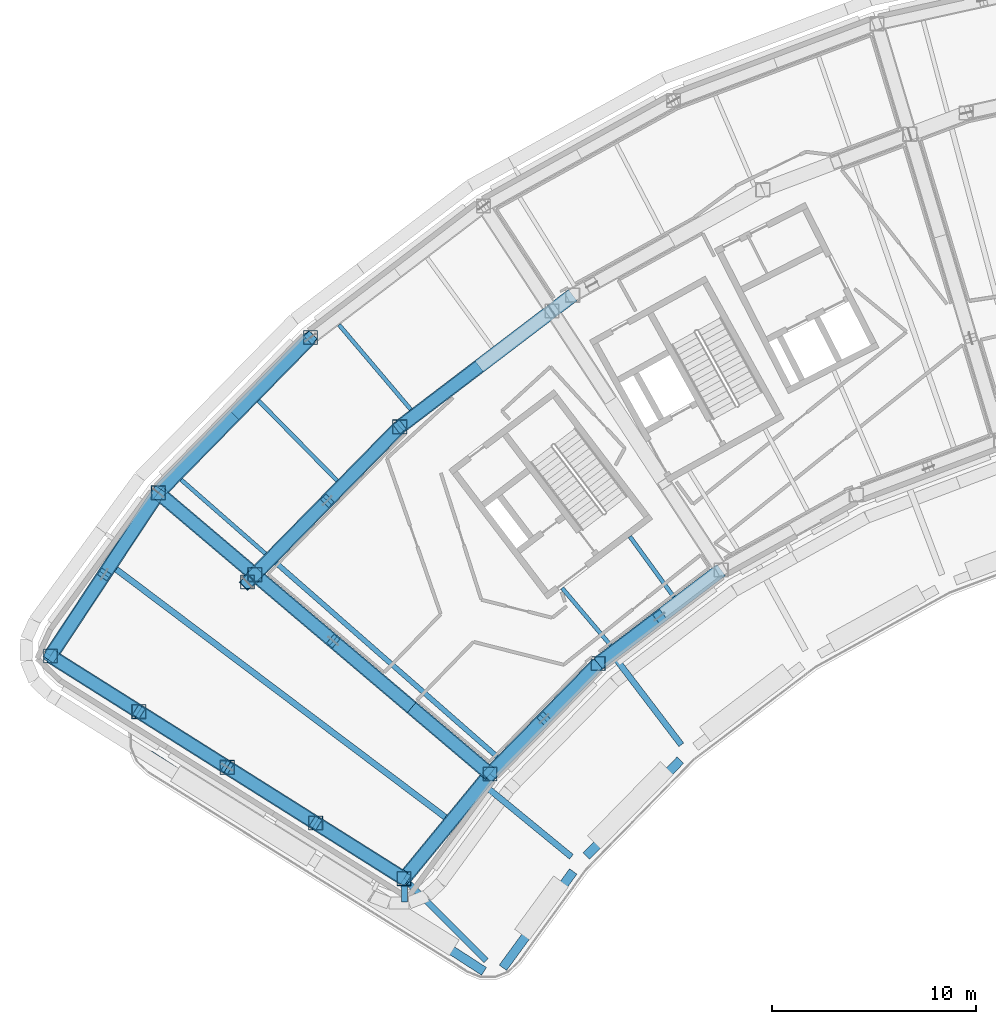
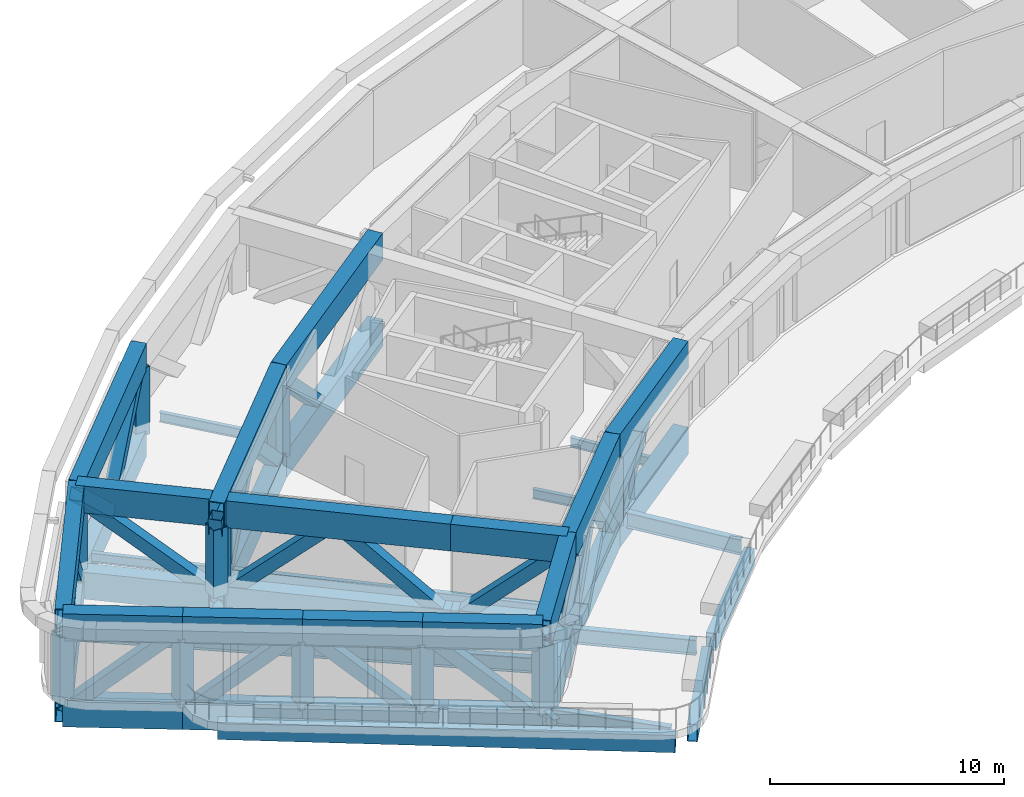
# One storey, part 1 of 26: 42 beams, 32 members.
"""IFC4 building model written with IfcOpenShell, lengths in metres."""

from ifc_helpers import new_model, si_unit, direction, frame, origin, origin_2d, place, context, subcontext, project, spatial, hollow_rectangle, i_section, extrude, material, material_profile, profile_set, type_object, element, save


model = new_model("IFC4")

# Units and contexts
model_context = context("Model", 3, precision=1e-05, world=origin(), true_north=direction((0.0, 1.0)))
body_context = subcontext(model_context, "Body", "Model", "MODEL_VIEW")
ifc_project = project(units=[si_unit("LENGTHUNIT", "METRE"), si_unit("AREAUNIT", "SQUARE_METRE"), si_unit("VOLUMEUNIT", "CUBIC_METRE"), si_unit("PLANEANGLEUNIT", "RADIAN"), si_unit("MASSUNIT", "GRAM", prefix="KILO")], contexts=[model_context])

# Site, building, storey
site_placement = place(None, origin())
site = spatial("IfcSite", under=ifc_project, at=site_placement, CompositionType="ELEMENT")
building_placement = place(site_placement, origin())
building = spatial("IfcBuilding", under=site, at=building_placement, Name="Tuul Gate Civic Tower", CompositionType="ELEMENT")
storey_placement = place(building_placement, frame((0.0, 0.0, 167.60009765625)))
storey = spatial("IfcBuildingStorey", under=building, at=storey_placement, Name="Plant and refuge floor 5", CompositionType="ELEMENT", Elevation=167.60009765625)

# Beams
ifc_material_1 = material(Name="Steel S355", Category="steel")
ifc_material_profile_1 = material_profile(ifc_material_1, i_section(OverallWidth=0.199951171875, OverallDepth=0.5, WebThickness=0.010009765625, FlangeThickness=0.01611328125, at=origin_2d()), Name="PG500x200x10x16")
ifc_profile_set_1 = profile_set([ifc_material_profile_1], Name="Steel S355")
beam_type_1 = type_object("IfcBeamType", Name="STR-FLOOR BEAM-PG500x200x10x16", PredefinedType="BEAM", material=ifc_profile_set_1)
beam_1_placement = place(storey_placement, frame((-30.0595703125, -17.616455078125, -0.650146484375), z_axis=(-0.588377005817, 0.808586729439, 0.0), x_axis=(-0.808586729439, -0.588377005817, 0.0)))
element("IfcBeam", 1, at=beam_1_placement, inside=storey, type_object=beam_type_1, Name="Floor beam", PredefinedType="BEAM", context=body_context, shape_type="SweptSolid", body=[
    extrude(i_section(OverallWidth=0.199951171875, OverallDepth=0.5, WebThickness=0.010009765625, FlangeThickness=0.01611328125, at=origin_2d()), origin(), (0.0, 0.0, 1.0), 3.67626953125),
])
beam_2_placement = place(storey_placement, frame((-33.168212890625, -19.9833984375, -0.650146484375), z_axis=(-0.646608064205, 0.762822398272, 0.0), x_axis=(-0.762822398272, -0.646608064205, 0.0)))
element("IfcBeam", 2, at=beam_2_placement, inside=storey, type_object=beam_type_1, Name="Floor beam", PredefinedType="BEAM", context=body_context, shape_type="SweptSolid", body=[
    extrude(i_section(OverallWidth=0.199951171875, OverallDepth=0.5, WebThickness=0.010009765625, FlangeThickness=0.01611328125, at=origin_2d()), origin(), (0.0, 0.0, 1.0), 3.6806640625),
])
beam_3_placement = place(storey_placement, frame((-42.981201171875, -8.406005859375, -0.650146484375), z_axis=(-0.64660651418, 0.762823712151, 0.0), x_axis=(-0.762823712151, -0.64660651418, 0.0)))
element("IfcBeam", 3, at=beam_3_placement, inside=storey, type_object=beam_type_1, Name="Floor beam", PredefinedType="BEAM", context=body_context, shape_type="SweptSolid", body=[
    extrude(i_section(OverallWidth=0.199951171875, OverallDepth=0.5, WebThickness=0.010009765625, FlangeThickness=0.01611328125, at=origin_2d()), origin(), (0.0, 0.0, 1.0), 5.451416015625),
])
beam_4_placement = place(storey_placement, frame((-46.600341796875, -11.8974609375, -0.650146484375), z_axis=(-0.701246002822, 0.712919380804, 0.0), x_axis=(-0.712919380804, -0.701246002822, 0.0)))
element("IfcBeam", 4, at=beam_4_placement, inside=storey, type_object=beam_type_1, Name="Floor beam", PredefinedType="BEAM", context=body_context, shape_type="SweptSolid", body=[
    extrude(i_section(OverallWidth=0.199951171875, OverallDepth=0.5, WebThickness=0.010009765625, FlangeThickness=0.01611328125, at=origin_2d()), origin(), (0.0, 0.0, 1.0), 5.50048828125),
])
beam_5_placement = place(storey_placement, frame((-50.11865234375, -15.48681640625, -0.650146484375), z_axis=(-0.752030045563, 0.659128826991, 0.0), x_axis=(-0.659128826991, -0.752030045563, 0.0)))
element("IfcBeam", 5, at=beam_5_placement, inside=storey, type_object=beam_type_1, Name="Floor beam", PredefinedType="BEAM", context=body_context, shape_type="SweptSolid", body=[
    extrude(i_section(OverallWidth=0.199951171875, OverallDepth=0.5, WebThickness=0.010009765625, FlangeThickness=0.01611328125, at=origin_2d()), origin(), (0.0, 0.0, 1.0), 5.50830078125),
])
ifc_material_2 = material(Name="Steel S355", Category="steel")
ifc_material_profile_2 = material_profile(ifc_material_2, i_section(OverallWidth=0.25, OverallDepth=0.64990234375, WebThickness=0.011962890625, FlangeThickness=0.02001953125, at=origin_2d()), Name="PG650x250x12x20")
ifc_profile_set_2 = profile_set([ifc_material_profile_2], Name="Steel S355")
beam_type_2 = type_object("IfcBeamType", Name="STR-FLOOR BEAM-PG650x250x12x20", PredefinedType="BEAM", material=ifc_profile_set_2)
beam_6_placement = place(storey_placement, frame((-38.744873046875, -25.455810546875, -0.72509765625), z_axis=(-0.752019629424, 0.659140711049, 0.0), x_axis=(-0.659140711049, -0.752019629424, 0.0)))
element("IfcBeam", 6, at=beam_6_placement, inside=storey, type_object=beam_type_2, Name="Floor beam", PredefinedType="BEAM", context=body_context, shape_type="SweptSolid", body=[
    extrude(i_section(OverallWidth=0.25, OverallDepth=0.64990234375, WebThickness=0.011962890625, FlangeThickness=0.02001953125, at=origin_2d()), origin(), (0.0, 0.0, 1.0), 14.423095703125),
])
ifc_material_3 = material(Name="Steel S355", Category="steel")
ifc_material_profile_3 = material_profile(ifc_material_3, i_section(OverallWidth=0.300048828125, OverallDepth=0.800048828125, WebThickness=0.013916015625, FlangeThickness=0.02490234375, at=origin_2d()), Name="PG800x300x14x25")
ifc_profile_set_3 = profile_set([ifc_material_profile_3], Name="Steel S355")
beam_type_3 = type_object("IfcBeamType", Name="STR-FLOOR BEAM-PG800x300x14x25", PredefinedType="BEAM", material=ifc_profile_set_3)
beam_7_placement = place(storey_placement, frame((-41.28662109375, -28.4326171875, -0.800048828125), z_axis=(-0.79870368658, 0.601724539174, 0.0), x_axis=(-0.601724539174, -0.79870368658, 0.0)))
element("IfcBeam", 7, at=beam_7_placement, inside=storey, type_object=beam_type_3, Name="Floor beam", PredefinedType="BEAM", context=body_context, shape_type="SweptSolid", body=[
    extrude(i_section(OverallWidth=0.300048828125, OverallDepth=0.800048828125, WebThickness=0.013916015625, FlangeThickness=0.02490234375, at=origin_2d()), origin(), (0.0, 0.0, 1.0), 20.233642578125),
])
beam_8_placement = place(storey_placement, frame((-43.28173828125, -32.60009765625, -0.800048828125), z_axis=(-0.025581045108, 0.99967275152, 0.0), x_axis=(-0.99967275152, -0.025581045108, 0.0)))
element("IfcBeam", 8, at=beam_8_placement, inside=storey, type_object=beam_type_3, Name="Terrace beam", PredefinedType="BEAM", context=body_context, shape_type="SweptSolid", body=[
    extrude(i_section(OverallWidth=0.300048828125, OverallDepth=0.800048828125, WebThickness=0.013916015625, FlangeThickness=0.02490234375, at=origin_2d()), origin(), (0.0, 0.0, 1.0), 0.849365234375),
])
beam_9_placement = place(storey_placement, frame((-39.280517578125, -35.4814453125, -0.800048828125), z_axis=(-0.707106781187, 0.707106781187, 0.0), x_axis=(-0.707106781187, -0.707106781187, 0.0)))
element("IfcBeam", 9, at=beam_9_placement, inside=storey, type_object=beam_type_3, Name="Terrace beam", PredefinedType="BEAM", context=body_context, shape_type="SweptSolid", body=[
    extrude(i_section(OverallWidth=0.300048828125, OverallDepth=0.800048828125, WebThickness=0.013916015625, FlangeThickness=0.02490234375, at=origin_2d()), origin(), (0.0, 0.0, 1.0), 5.39990234375),
])
beam_10_placement = place(storey_placement, frame((-35.093505859375, -30.375732421875, -0.800048828125), z_axis=(-0.773010486369, 0.634393243945, 0.0), x_axis=(-0.634393243945, -0.773010486369, 0.0)))
element("IfcBeam", 10, at=beam_10_placement, inside=storey, type_object=beam_type_3, Name="Terrace beam", PredefinedType="BEAM", context=body_context, shape_type="SweptSolid", body=[
    extrude(i_section(OverallWidth=0.300048828125, OverallDepth=0.800048828125, WebThickness=0.013916015625, FlangeThickness=0.02490234375, at=origin_2d()), origin(), (0.0, 0.0, 1.0), 5.3701171875),
])
beam_11_placement = place(storey_placement, frame((-29.69580078125, -24.873291015625, -0.800048828125), z_axis=(-0.605795419992, 0.795620455442, 0.0), x_axis=(-0.795620455442, -0.605795419992, 0.0)))
element("IfcBeam", 11, at=beam_11_placement, inside=storey, type_object=beam_type_3, Name="Terrace beam", PredefinedType="BEAM", context=body_context, shape_type="SweptSolid", body=[
    extrude(i_section(OverallWidth=0.300048828125, OverallDepth=0.800048828125, WebThickness=0.013916015625, FlangeThickness=0.02490234375, at=origin_2d()), origin(), (0.0, 0.0, 1.0), 5.343994140625),
])
ifc_material_4 = material(Name="Steel S355", Category="steel")
ifc_material_profile_4 = material_profile(ifc_material_4, hollow_rectangle(XDim=0.449951171875, YDim=0.89990234375, WallThickness=0.02490234375, at=origin_2d()), Name="BOX900x450x25")
ifc_profile_set_4 = profile_set([ifc_material_profile_4], Name="Steel S355")
beam_type_4 = type_object("IfcBeamType", Name="STR-SPANDREL BEAM-BOX900x450x25", PredefinedType="BEAM", material=ifc_profile_set_4)
beam_12_placement = place(storey_placement, frame((-55.83251953125, -25.361572265625, -0.85009765625), z_axis=(0.839591221313, -0.543218723071, 0.0), x_axis=(0.543218723071, 0.839591221313, 0.0)))
element("IfcBeam", 12, at=beam_12_placement, inside=storey, type_object=beam_type_4, Name="Terrace edge beam", PredefinedType="BEAM", context=body_context, shape_type="SweptSolid", body=[
    extrude(hollow_rectangle(XDim=0.449951171875, YDim=0.89990234375, WallThickness=0.02490234375, at=origin_2d()), origin(), (0.0, 0.0, 1.0), 19.58984375),
])
beam_13_placement = place(storey_placement, frame((-38.45654296875, -35.826171875, -0.85009765625), z_axis=(0.589840992423, 0.807519413796, 0.0), x_axis=(-0.807519413796, 0.589840992423, 0.0)))
element("IfcBeam", 13, at=beam_13_placement, inside=storey, type_object=beam_type_4, Name="Terrace edge beam", PredefinedType="BEAM", context=body_context, shape_type="SweptSolid", body=[
    extrude(hollow_rectangle(XDim=0.449951171875, YDim=0.89990234375, WallThickness=0.02490234375, at=origin_2d()), origin(), (0.0, 0.0, 1.0), 5.85693359375),
])
beam_14_placement = place(storey_placement, frame((-34.35693359375, -30.3359375, -0.85009765625), z_axis=(0.699959943252, 0.714182104118, 0.0), x_axis=(-0.714182104118, 0.699959943252, 0.0)))
element("IfcBeam", 14, at=beam_14_placement, inside=storey, type_object=beam_type_4, Name="Terrace edge beam", PredefinedType="BEAM", context=body_context, shape_type="SweptSolid", body=[
    extrude(hollow_rectangle(XDim=0.449951171875, YDim=0.89990234375, WallThickness=0.02490234375, at=origin_2d()), origin(), (0.0, 0.0, 1.0), 6.591796875),
])
ifc_material_5 = material(Name="Steel S460", Category="steel")
ifc_material_profile_5 = material_profile(ifc_material_5, hollow_rectangle(XDim=0.699951171875, YDim=1.39990234375, WallThickness=0.0400390625, at=origin_2d()), Name="BOX1400x700x40")
ifc_profile_set_5 = profile_set([ifc_material_profile_5], Name="Steel S460")
beam_type_5 = type_object("IfcBeamType", Name="STR-TRANSFER TRUSS CHORD-BOX1400x700x40", PredefinedType="BEAM", material=ifc_profile_set_5)
beam_15_placement = place(storey_placement, frame((-55.382080078125, -12.5, -1.10009765625), z_axis=(0.762827040434, -0.646602587671, 0.0), x_axis=(0.646602587671, 0.762827040434, 0.0)))
element("IfcBeam", 15, at=beam_15_placement, inside=storey, type_object=beam_type_5, Name="Radial truss bottom chord", PredefinedType="BEAM", context=body_context, shape_type="SweptSolid", body=[
    extrude(hollow_rectangle(XDim=0.699951171875, YDim=1.39990234375, WallThickness=0.0400390625, at=origin_2d()), origin(), (0.0, 0.0, 1.0), 5.86474609375),
])
beam_16_placement = place(storey_placement, frame((-50.372802734375, -16.74609375, -1.10009765625), z_axis=(0.762827093046, -0.646602525602, 0.0), x_axis=(0.646602525602, 0.762827093046, 0.0)))
element("IfcBeam", 16, at=beam_16_placement, inside=storey, type_object=beam_type_5, Name="Radial truss bottom chord", PredefinedType="BEAM", context=body_context, shape_type="SweptSolid", body=[
    extrude(hollow_rectangle(XDim=0.699951171875, YDim=1.39990234375, WallThickness=0.0400390625, at=origin_2d()), origin(), (0.0, 0.0, 1.0), 9.74267578125),
])
beam_17_placement = place(storey_placement, frame((-42.94091796875, -23.045654296875, -1.10009765625), z_axis=(0.762813501361, -0.646618560004, 0.0), x_axis=(0.646618560004, 0.762813501361, 0.0)))
element("IfcBeam", 17, at=beam_17_placement, inside=storey, type_object=beam_type_5, Name="Radial truss bottom chord", PredefinedType="BEAM", context=body_context, shape_type="SweptSolid", body=[
    extrude(hollow_rectangle(XDim=0.699951171875, YDim=1.39990234375, WallThickness=0.0400390625, at=origin_2d()), origin(), (0.0, 0.0, 1.0), 5.046875),
])
beam_18_placement = place(storey_placement, frame((-55.382080078125, -12.5, 3.39990234375), z_axis=(0.762827040434, -0.646602587671, 0.0), x_axis=(0.646602587671, 0.762827040434, 0.0)))
element("IfcBeam", 18, at=beam_18_placement, inside=storey, type_object=beam_type_5, Name="Radial truss top chord", PredefinedType="BEAM", context=body_context, shape_type="SweptSolid", body=[
    extrude(hollow_rectangle(XDim=0.699951171875, YDim=1.39990234375, WallThickness=0.0400390625, at=origin_2d()), origin(), (0.0, 0.0, 1.0), 5.86474609375),
])
beam_19_placement = place(storey_placement, frame((-50.372802734375, -16.74609375, 3.39990234375), z_axis=(0.762827093046, -0.646602525602, 0.0), x_axis=(0.646602525602, 0.762827093046, 0.0)))
element("IfcBeam", 19, at=beam_19_placement, inside=storey, type_object=beam_type_5, Name="Radial truss top chord", PredefinedType="BEAM", context=body_context, shape_type="SweptSolid", body=[
    extrude(hollow_rectangle(XDim=0.699951171875, YDim=1.39990234375, WallThickness=0.0400390625, at=origin_2d()), origin(), (0.0, 0.0, 1.0), 9.74267578125),
])
beam_20_placement = place(storey_placement, frame((-42.94091796875, -23.045654296875, 3.39990234375), z_axis=(0.762813501361, -0.646618560004, 0.0), x_axis=(0.646618560004, 0.762813501361, 0.0)))
element("IfcBeam", 20, at=beam_20_placement, inside=storey, type_object=beam_type_5, Name="Radial truss top chord", PredefinedType="BEAM", context=body_context, shape_type="SweptSolid", body=[
    extrude(hollow_rectangle(XDim=0.699951171875, YDim=1.39990234375, WallThickness=0.0400390625, at=origin_2d()), origin(), (0.0, 0.0, 1.0), 5.046875),
])
for number, where, z_axis, x_axis, name in (
    (21, (-35.028076171875, -2.791015625, -1.10009765625), (-0.795657881015, -0.605746264023, 0.0), (0.605746264023, -0.795657881015, 0.0), "Belt truss bottom chord"),
    (22, (-35.028076171875, -2.791015625, 3.39990234375), (-0.795657881015, -0.605746264023, 0.0), (0.605746264023, -0.795657881015, 0.0), "Belt truss top chord"),
):
    element("IfcBeam", number, at=place(storey_placement, frame(where, z_axis=z_axis, x_axis=x_axis)), inside=storey, type_object=beam_type_5, Name=name, PredefinedType="BEAM", context=body_context, shape_type="SweptSolid", body=[
        extrude(hollow_rectangle(XDim=0.699951171875, YDim=1.39990234375, WallThickness=0.0400390625, at=origin_2d()), origin(), (0.0, 0.0, 1.0), 10.677734375),
    ])
for number, where, z_axis, x_axis, name in (
    (23, (-47.907958984375, -4.875, -1.10009765625), (-0.700006025331, -0.714136936798, 0.0), (0.714136936798, -0.700006025331, 0.0), "Belt truss bottom chord"),
    (24, (-47.907958984375, -4.875, 3.39990234375), (-0.700006025331, -0.714136936798, 0.0), (0.714136936798, -0.700006025331, 0.0), "Belt truss top chord"),
    (25, (-43.52392578125, -9.259033203125, -1.10009765625), (-0.700006025331, -0.714136936798, 0.0), (0.714136936798, -0.700006025331, 0.0), "Belt truss bottom chord"),
    (26, (-43.52392578125, -9.259033203125, 3.39990234375), (-0.700006025331, -0.714136936798, 0.0), (0.714136936798, -0.700006025331, 0.0), "Belt truss top chord"),
):
    element("IfcBeam", number, at=place(storey_placement, frame(where, z_axis=z_axis, x_axis=x_axis)), inside=storey, type_object=beam_type_5, Name=name, PredefinedType="BEAM", context=body_context, shape_type="SweptSolid", body=[
        extrude(hollow_rectangle(XDim=0.699951171875, YDim=1.39990234375, WallThickness=0.0400390625, at=origin_2d()), origin(), (0.0, 0.0, 1.0), 10.67724609375),
    ])
for number, where, z_axis, x_axis, name in (
    (27, (-55.382080078125, -12.5, -1.10009765625), (-0.5515879836, -0.834116716262, 0.0), (0.834116716262, -0.5515879836, 0.0), "Belt truss bottom chord"),
    (28, (-55.382080078125, -12.5, 3.39990234375), (-0.5515879836, -0.834116716262, 0.0), (0.834116716262, -0.5515879836, 0.0), "Belt truss top chord"),
):
    element("IfcBeam", number, at=place(storey_placement, frame(where, z_axis=z_axis, x_axis=x_axis)), inside=storey, type_object=beam_type_5, Name=name, PredefinedType="BEAM", context=body_context, shape_type="SweptSolid", body=[
        extrude(hollow_rectangle(XDim=0.699951171875, YDim=1.39990234375, WallThickness=0.0400390625, at=origin_2d()), origin(), (0.0, 0.0, 1.0), 9.6064453125),
    ])
for number, where, z_axis, x_axis, name in (
    (29, (-39.091064453125, -26.30908203125, -1.10009765625), (0.699947938495, 0.714193869615, 0.0), (-0.714193869615, 0.699947938495, 0.0), "Belt truss bottom chord"),
    (30, (-39.091064453125, -26.30908203125, 3.39990234375), (0.699947938495, 0.714193869615, 0.0), (-0.714193869615, 0.699947938495, 0.0), "Belt truss top chord"),
):
    element("IfcBeam", number, at=place(storey_placement, frame(where, z_axis=z_axis, x_axis=x_axis)), inside=storey, type_object=beam_type_5, Name=name, PredefinedType="BEAM", context=body_context, shape_type="SweptSolid", body=[
        extrude(hollow_rectangle(XDim=0.699951171875, YDim=1.39990234375, WallThickness=0.0400390625, at=origin_2d()), origin(), (0.0, 0.0, 1.0), 7.592041015625),
    ])
for number, where, z_axis, x_axis, name in (
    (31, (-33.777099609375, -20.886962890625, -1.10009765625), (0.795625835802, 0.605788353638, 0.0), (-0.605788353638, 0.795625835802, 0.0), "Belt truss bottom chord"),
    (32, (-33.777099609375, -20.886962890625, 3.39990234375), (0.795625835802, 0.605788353638, 0.0), (-0.605788353638, 0.795625835802, 0.0), "Belt truss top chord"),
):
    element("IfcBeam", number, at=place(storey_placement, frame(where, z_axis=z_axis, x_axis=x_axis)), inside=storey, type_object=beam_type_5, Name=name, PredefinedType="BEAM", context=body_context, shape_type="SweptSolid", body=[
        extrude(hollow_rectangle(XDim=0.699951171875, YDim=1.39990234375, WallThickness=0.0400390625, at=origin_2d()), origin(), (0.0, 0.0, 1.0), 7.591552734375),
    ])
for number, where, z_axis, x_axis, name in (
    (33, (-43.31103515625, -31.450927734375, -1.10009765625), (0.634408284955, 0.772998142288, 0.0), (-0.772998142288, 0.634408284955, 0.0), "Belt truss bottom chord"),
    (34, (-43.31103515625, -31.450927734375, 3.39990234375), (0.634408284955, 0.772998142288, 0.0), (-0.772998142288, 0.634408284955, 0.0), "Belt truss top chord"),
):
    element("IfcBeam", number, at=place(storey_placement, frame(where, z_axis=z_axis, x_axis=x_axis)), inside=storey, type_object=beam_type_5, Name=name, PredefinedType="BEAM", context=body_context, shape_type="SweptSolid", body=[
        extrude(hollow_rectangle(XDim=0.699951171875, YDim=1.39990234375, WallThickness=0.0400390625, at=origin_2d()), origin(), (0.0, 0.0, 1.0), 6.65185546875),
    ])
for number, where, z_axis, x_axis, name in (
    (35, (-47.654052734375, -28.716064453125, -1.10009765625), (0.846200269344, -0.532864996188, 0.0), (0.532864996188, 0.846200269344, 0.0), "Belt truss bottom chord"),
    (36, (-47.654052734375, -28.716064453125, 3.39990234375), (0.846200269344, -0.532864996188, 0.0), (0.532864996188, 0.846200269344, 0.0), "Belt truss top chord"),
    (37, (-56.339111328125, -23.2470703125, -1.10009765625), (0.846200269344, -0.532864996188, 0.0), (0.532864996188, 0.846200269344, 0.0), "Belt truss bottom chord"),
    (38, (-56.339111328125, -23.2470703125, 3.39990234375), (0.846200269344, -0.532864996188, 0.0), (0.532864996188, 0.846200269344, 0.0), "Belt truss top chord"),
):
    element("IfcBeam", number, at=place(storey_placement, frame(where, z_axis=z_axis, x_axis=x_axis)), inside=storey, type_object=beam_type_5, Name=name, PredefinedType="BEAM", context=body_context, shape_type="SweptSolid", body=[
        extrude(hollow_rectangle(XDim=0.699951171875, YDim=1.39990234375, WallThickness=0.0400390625, at=origin_2d()), origin(), (0.0, 0.0, 1.0), 5.13232421875),
    ])
for number, where, z_axis, x_axis, name in (
    (39, (-51.99609375, -25.98193359375, -1.10009765625), (0.846210591722, -0.532848603694, 0.0), (0.532848603694, 0.846210591722, 0.0), "Belt truss bottom chord"),
    (40, (-51.99609375, -25.98193359375, 3.39990234375), (0.846210591722, -0.532848603694, 0.0), (0.532848603694, 0.846210591722, 0.0), "Belt truss top chord"),
):
    element("IfcBeam", number, at=place(storey_placement, frame(where, z_axis=z_axis, x_axis=x_axis)), inside=storey, type_object=beam_type_5, Name=name, PredefinedType="BEAM", context=body_context, shape_type="SweptSolid", body=[
        extrude(hollow_rectangle(XDim=0.699951171875, YDim=1.39990234375, WallThickness=0.0400390625, at=origin_2d()), origin(), (0.0, 0.0, 1.0), 5.131103515625),
    ])
for number, where, z_axis, x_axis, name in (
    (41, (-60.680908203125, -20.512939453125, -1.10009765625), (0.846197081624, -0.532870058317, 0.0), (0.532870058317, 0.846197081624, 0.0), "Belt truss bottom chord"),
    (42, (-60.680908203125, -20.512939453125, 3.39990234375), (0.846197081624, -0.532870058317, 0.0), (0.532870058317, 0.846197081624, 0.0), "Belt truss top chord"),
):
    element("IfcBeam", number, at=place(storey_placement, frame(where, z_axis=z_axis, x_axis=x_axis)), inside=storey, type_object=beam_type_5, Name=name, PredefinedType="BEAM", context=body_context, shape_type="SweptSolid", body=[
        extrude(hollow_rectangle(XDim=0.699951171875, YDim=1.39990234375, WallThickness=0.0400390625, at=origin_2d()), origin(), (0.0, 0.0, 1.0), 5.130859375),
    ])

# Members
ifc_material_6 = material(Name="Steel S355", Category="steel")
ifc_material_profile_6 = material_profile(ifc_material_6, hollow_rectangle(XDim=0.60009765625, YDim=0.60009765625, WallThickness=0.02490234375, at=origin_2d()), Name="BOX600x600x25")
ifc_profile_set_6 = profile_set([ifc_material_profile_6], Name="Steel S355")
member_type_1 = type_object("IfcMemberType", Name="STR-TRANSFER TRUSS DIAGONAL-BOX600x600x25", PredefinedType="BRACE", material=ifc_profile_set_6)
member_1_placement = place(storey_placement, frame((-50.63720703125, -16.521728515625, -1.10302734375), z_axis=(-0.617900232743, 0.523755203195, 0.586412644392), x_axis=(-0.646601403094, -0.762828044527, 0.0)))
element("IfcMember", 43, at=member_1_placement, inside=storey, type_object=member_type_1, Name="Radial truss web", PredefinedType="BRACE", context=body_context, shape_type="SweptSolid", body=[
    extrude(hollow_rectangle(XDim=0.60009765625, YDim=0.60009765625, WallThickness=0.02490234375, at=origin_2d()), origin(), (0.0, 0.0, 1.0), 7.683837890625),
])
for number, where, z_axis, x_axis, name in (
    (44, (-50.643310546875, -16.516845703125, -1.103515625), (0.569346806845, -0.482603619328, 0.665535844374), (0.646604603209, 0.762825331979, 0.0), "Radial truss web"),
    (45, (-42.93798828125, -23.048095703125, -1.103515625), (-0.569346806845, 0.482603619328, 0.665535844374), (-0.646604603209, -0.762825331979, 0.0), "Radial truss web"),
):
    element("IfcMember", number, at=place(storey_placement, frame(where, z_axis=z_axis, x_axis=x_axis)), inside=storey, type_object=member_type_1, Name=name, PredefinedType="BRACE", context=body_context, shape_type="SweptSolid", body=[
        extrude(hollow_rectangle(XDim=0.60009765625, YDim=0.60009765625, WallThickness=0.02490234375, at=origin_2d()), origin(), (0.0, 0.0, 1.0), 6.771728515625),
    ])
member_2_placement = place(storey_placement, frame((-42.943603515625, -23.043212890625, -1.103515625), z_axis=(0.569336900531, -0.482631274532, 0.665524264425), x_axis=(0.646632710425, 0.762801506165, 0.0)))
element("IfcMember", 46, at=member_2_placement, inside=storey, type_object=member_type_1, Name="Radial truss web", PredefinedType="BRACE", context=body_context, shape_type="SweptSolid", body=[
    extrude(hollow_rectangle(XDim=0.60009765625, YDim=0.60009765625, WallThickness=0.02490234375, at=origin_2d()), origin(), (0.0, 0.0, 1.0), 6.77197265625),
])
member_3_placement = place(storey_placement, frame((-39.78125, -6.40966796875, -1.103515625), z_axis=(-0.574735360146, -0.437551101976, 0.691540525896), x_axis=(0.605743163751, -0.79566024129, 0.0)))
element("IfcMember", 47, at=member_3_placement, inside=storey, type_object=member_type_1, Name="Belt truss web", PredefinedType="BRACE", context=body_context, shape_type="SweptSolid", body=[
    extrude(hollow_rectangle(XDim=0.60009765625, YDim=0.60009765625, WallThickness=0.02490234375, at=origin_2d()), origin(), (0.0, 0.0, 1.0), 6.51708984375),
])
for number, where, z_axis, x_axis, name in (
    (48, (-51.647705078125, -8.690185546875, -1.103271484375), (0.535239109686, 0.546028390454, 0.64449367125), (-0.714126998958, 0.700016163642, 0.0), "Belt truss web"),
    (49, (-51.642333984375, -8.684814453125, -1.103271484375), (-0.535239109686, -0.546028390454, 0.64449367125), (0.714126998958, -0.700016163642, 0.0), "Belt truss web"),
):
    element("IfcMember", number, at=place(storey_placement, frame(where, z_axis=z_axis, x_axis=x_axis)), inside=storey, type_object=member_type_1, Name=name, PredefinedType="BRACE", context=body_context, shape_type="SweptSolid", body=[
        extrude(hollow_rectangle(XDim=0.60009765625, YDim=0.60009765625, WallThickness=0.02490234375, at=origin_2d()), origin(), (0.0, 0.0, 1.0), 6.9921875),
    ])
member_4_placement = place(storey_placement, frame((-43.521484375, -9.25634765625, -1.103515625), z_axis=(-0.524089545421, -0.534718562581, 0.662877218806), x_axis=(0.714169203253, -0.699973106002, 0.0)))
element("IfcMember", 50, at=member_4_placement, inside=storey, type_object=member_type_1, Name="Belt truss web", PredefinedType="BRACE", context=body_context, shape_type="SweptSolid", body=[
    extrude(hollow_rectangle(XDim=0.60009765625, YDim=0.60009765625, WallThickness=0.02490234375, at=origin_2d()), origin(), (0.0, 0.0, 1.0), 6.798828125),
])
member_5_placement = place(storey_placement, frame((-50.64306640625, -16.52197265625, -1.103515625), z_axis=(0.524115590451, 0.534708499412, 0.662864743747), x_axis=(-0.714145228577, 0.699997566068, 0.0)))
element("IfcMember", 51, at=member_5_placement, inside=storey, type_object=member_type_1, Name="Belt truss web", PredefinedType="BRACE", context=body_context, shape_type="SweptSolid", body=[
    extrude(hollow_rectangle(XDim=0.60009765625, YDim=0.60009765625, WallThickness=0.02490234375, at=origin_2d()), origin(), (0.0, 0.0, 1.0), 6.799072265625),
])
member_6_placement = place(storey_placement, frame((-50.64013671875, -16.518798828125, -1.10498046875), z_axis=(-0.078910793917, -0.080578302173, 0.993619758168), x_axis=(0.714460754129, -0.699675518229, 0.0)))
element("IfcMember", 52, at=member_6_placement, inside=storey, type_object=member_type_1, Name="Belt truss web", PredefinedType="BRACE", context=body_context, shape_type="SweptSolid", body=[
    extrude(hollow_rectangle(XDim=0.60009765625, YDim=0.60009765625, WallThickness=0.02490234375, at=origin_2d()), origin(), (0.0, 0.0, 1.0), 4.538818359375),
])
member_7_placement = place(storey_placement, frame((-55.3798828125, -12.4970703125, -1.103515625), z_axis=(-0.402551141874, -0.608697029782, 0.683696207471), x_axis=(0.8340980697, -0.551616180077, 0.0)))
element("IfcMember", 53, at=member_7_placement, inside=storey, type_object=member_type_1, Name="Belt truss web", PredefinedType="BRACE", context=body_context, shape_type="SweptSolid", body=[
    extrude(hollow_rectangle(XDim=0.60009765625, YDim=0.60009765625, WallThickness=0.02490234375, at=origin_2d()), origin(), (0.0, 0.0, 1.0), 6.591796875),
])
member_8_placement = place(storey_placement, frame((-60.68310546875, -20.51611328125, -1.103515625), z_axis=(0.402542066757, 0.608720343106, 0.683680794216), x_axis=(-0.834113511354, 0.551592830063, 0.0)))
element("IfcMember", 54, at=member_8_placement, inside=storey, type_object=member_type_1, Name="Belt truss web", PredefinedType="BRACE", context=body_context, shape_type="SweptSolid", body=[
    extrude(hollow_rectangle(XDim=0.60009765625, YDim=0.60009765625, WallThickness=0.02490234375, at=origin_2d()), origin(), (0.0, 0.0, 1.0), 6.592041015625),
])
for number, where, z_axis, x_axis, name in (
    (55, (-39.09326171875, -26.311279296875, -1.10400390625), (0.451323523042, 0.460472532269, 0.764376951886), (-0.714165976552, 0.699976398127, 0.0), "Belt truss web"),
    (56, (-33.774658203125, -20.884765625, -1.10400390625), (-0.451323523042, -0.460472532269, 0.764376951886), (0.714165976552, -0.699976398127, 0.0), "Belt truss web"),
):
    element("IfcMember", number, at=place(storey_placement, frame(where, z_axis=z_axis, x_axis=x_axis)), inside=storey, type_object=member_type_1, Name=name, PredefinedType="BRACE", context=body_context, shape_type="SweptSolid", body=[
        extrude(hollow_rectangle(XDim=0.60009765625, YDim=0.60009765625, WallThickness=0.02490234375, at=origin_2d()), origin(), (0.0, 0.0, 1.0), 5.8974609375),
    ])
member_9_placement = place(storey_placement, frame((-33.779541015625, -20.888916015625, -1.10400390625), z_axis=(0.512973678135, 0.390598551626, 0.764389152859), x_axis=(-0.605809108227, 0.795610032861, 0.0)))
element("IfcMember", 57, at=member_9_placement, inside=storey, type_object=member_type_1, Name="Belt truss web", PredefinedType="BRACE", context=body_context, shape_type="SweptSolid", body=[
    extrude(hollow_rectangle(XDim=0.60009765625, YDim=0.60009765625, WallThickness=0.02490234375, at=origin_2d()), origin(), (0.0, 0.0, 1.0), 5.897216796875),
])
member_10_placement = place(storey_placement, frame((-39.08837890625, -26.305908203125, -1.102783203125), z_axis=(-0.525482404617, -0.640252352583, 0.560308100468), x_axis=(0.772986250594, -0.634422774175, 0.0)))
element("IfcMember", 58, at=member_10_placement, inside=storey, type_object=member_type_1, Name="Belt truss web", PredefinedType="BRACE", context=body_context, shape_type="SweptSolid", body=[
    extrude(hollow_rectangle(XDim=0.60009765625, YDim=0.60009765625, WallThickness=0.02490234375, at=origin_2d()), origin(), (0.0, 0.0, 1.0), 8.040771484375),
])
for number, where, z_axis, x_axis, name in (
    (59, (-43.307861328125, -31.453125, -1.103515625), (-0.636245217629, 0.400675559729, 0.659280758767), (-0.532886335228, -0.846186831455, 0.0), "Belt truss web"),
    (60, (-56.34228515625, -23.2451171875, -1.103515625), (0.636254321918, -0.400645578629, 0.659290192681), (0.532852323441, 0.84620824943, 0.0), "Belt truss web"),
):
    element("IfcMember", number, at=place(storey_placement, frame(where, z_axis=z_axis, x_axis=x_axis)), inside=storey, type_object=member_type_1, Name=name, PredefinedType="BRACE", context=body_context, shape_type="SweptSolid", body=[
        extrude(hollow_rectangle(XDim=0.60009765625, YDim=0.60009765625, WallThickness=0.02490234375, at=origin_2d()), origin(), (0.0, 0.0, 1.0), 6.8359375),
    ])
member_11_placement = place(storey_placement, frame((-47.65087890625, -28.718017578125, -1.103515625), z_axis=(-0.636196595628, 0.400592039749, 0.659378426551), x_axis=(-0.532835951567, -0.846218558481, 0.0)))
element("IfcMember", 61, at=member_11_placement, inside=storey, type_object=member_type_1, Name="Belt truss web", PredefinedType="BRACE", context=body_context, shape_type="SweptSolid", body=[
    extrude(hollow_rectangle(XDim=0.60009765625, YDim=0.60009765625, WallThickness=0.02490234375, at=origin_2d()), origin(), (0.0, 0.0, 1.0), 6.8349609375),
])
member_12_placement = place(storey_placement, frame((-60.68408203125, -20.510986328125, -1.103515625), z_axis=(0.636175332846, -0.400601143059, 0.659393410687), x_axis=(0.532857374765, 0.84620506862, 0.0)))
element("IfcMember", 62, at=member_12_placement, inside=storey, type_object=member_type_1, Name="Belt truss web", PredefinedType="BRACE", context=body_context, shape_type="SweptSolid", body=[
    extrude(hollow_rectangle(XDim=0.60009765625, YDim=0.60009765625, WallThickness=0.02490234375, at=origin_2d()), origin(), (0.0, 0.0, 1.0), 6.834716796875),
])
ifc_material_7 = material(Name="Steel S355", Category="steel")
ifc_material_profile_7 = material_profile(ifc_material_7, hollow_rectangle(XDim=0.699951171875, YDim=0.699951171875, WallThickness=0.030029296875, at=origin_2d()), Name="BOX700x700x30")
ifc_profile_set_7 = profile_set([ifc_material_profile_7], Name="Steel S355")
member_type_2 = type_object("IfcMemberType", Name="STR-TRUSS POST-BOX700x700x30", PredefinedType="POST", material=ifc_profile_set_7)
for number, where, z_axis, x_axis, name in (
    (63, (-55.382080078125, -12.5, -0.6201171875), (0.0, 0.0, 1.0), (1.0, 0.0, 0.0), "Radial truss post"),
    (64, (-50.640380859375, -16.519287109375, -0.6201171875), (0.0, 0.0, 1.0), (1.0, 0.0, 0.0), "Radial truss post"),
    (65, (-39.091064453125, -26.30908203125, -0.6201171875), (0.0, 0.0, 1.0), (1.0, 0.0, 0.0), "Radial truss post"),
    (66, (-47.907958984375, -4.875, -0.6201171875), (0.0, 0.0, 1.0), (1.0, 0.0, 0.0), "Belt truss post"),
    (67, (-43.52392578125, -9.259033203125, -0.6201171875), (0.0, 0.0, 1.0), (1.0, 0.0, 0.0), "Belt truss post"),
    (68, (-50.998046875, -16.884033203125, -0.6201171875), (0.0, 0.0, 1.0), (1.0, 0.0, 0.0), "Belt truss post"),
    (69, (-60.680908203125, -20.512939453125, -0.6201171875), (0.0, 0.0, 1.0), (1.0, 0.0, 0.0), "Belt truss post"),
    (70, (-33.777099609375, -20.886962890625, -0.6201171875), (0.0, 0.0, 1.0), (1.0, 0.0, 0.0), "Belt truss post"),
    (71, (-43.31103515625, -31.450927734375, -0.6201171875), (0.0, 0.0, 1.0), (1.0, 0.0, 0.0), "Belt truss post"),
    (72, (-47.654052734375, -28.716064453125, -0.6201171875), (0.0, 0.0, 1.0), (1.0, 0.0, 0.0), "Belt truss post"),
    (73, (-56.339111328125, -23.2470703125, -0.6201171875), (0.0, 0.0, 1.0), (1.0, 0.0, 0.0), "Belt truss post"),
    (74, (-51.99609375, -25.98193359375, -0.6201171875), (0.0, 0.0, 1.0), (1.0, 0.0, 0.0), "Belt truss post"),
):
    element("IfcMember", number, at=place(storey_placement, frame(where, z_axis=z_axis, x_axis=x_axis)), inside=storey, type_object=member_type_2, Name=name, PredefinedType="POST", context=body_context, shape_type="SweptSolid", body=[
        extrude(hollow_rectangle(XDim=0.699951171875, YDim=0.699951171875, WallThickness=0.030029296875, at=origin_2d()), origin(), (0.0, 0.0, 1.0), 3.5400390625),
    ])

save(model, "model.ifc")
